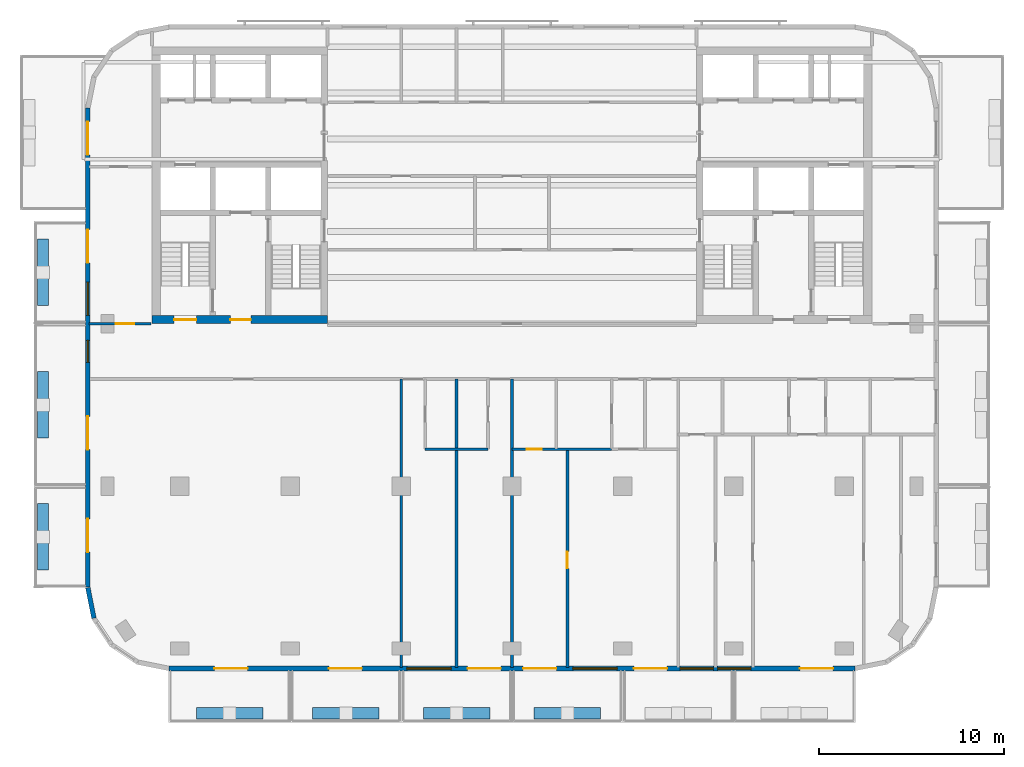
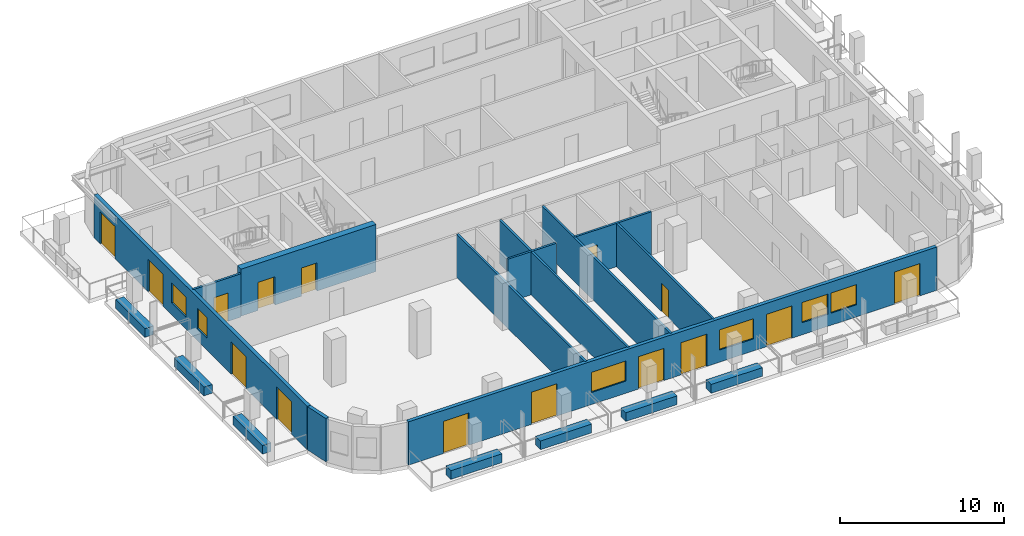
# One storey, part 2 of 10: 18 walls, 15 doors, 6 windows, 21 openings.
"""IFC4 building model written with IfcOpenShell, lengths in metres."""

from ifc_helpers import new_model, si_unit, direction, frame, frame_2d, origin, place, context, subcontext, project, spatial, rectangle, extrude, material, layer, layer_set, type_object, element, fill, save


model = new_model("IFC4")

# Units and contexts
model_context = context("Model", 3, precision=1e-05, world=origin(), true_north=direction((0.0, 1.0)))
body_context = subcontext(model_context, "Body", "Model", "MODEL_VIEW")
ifc_project = project(units=[si_unit("LENGTHUNIT", "METRE"), si_unit("AREAUNIT", "SQUARE_METRE"), si_unit("VOLUMEUNIT", "CUBIC_METRE"), si_unit("PLANEANGLEUNIT", "RADIAN"), si_unit("MASSUNIT", "GRAM", prefix="KILO")], contexts=[model_context])

# Site, building, storey
site_placement = place(None, origin())
site = spatial("IfcSite", under=ifc_project, at=site_placement, CompositionType="ELEMENT")
building_placement = place(site_placement, origin())
building = spatial("IfcBuilding", under=site, at=building_placement, Name="Torana Hotel and Residences", CompositionType="ELEMENT")
storey_placement = place(building_placement, frame((0.0, 0.0, 301.60009765625)))
storey = spatial("IfcBuildingStorey", under=building, at=storey_placement, Name="L80", CompositionType="ELEMENT", Elevation=301.60009765625)

# Wall, openings, doors
ifc_material_1 = material(Name="Concrete C60/75", Category="concrete")
ifc_layer_1 = layer(ifc_material_1, 0.449951171875)
ifc_layer_set_1 = layer_set([ifc_layer_1], Name="CORE WALL 450 C60/75")
wall_type_1 = type_object("IfcWallType", Name="CORE WALL 450 C60/75", PredefinedType="SHEAR", material=ifc_layer_set_1)
wall_1_placement = place(storey_placement, frame((-19.5, -14.77490234375, 0.0), z_axis=(0.0, 0.0, 1.0), x_axis=(1.0, 0.0, 0.0)))
wall_1 = element("IfcWall", 1, at=wall_1_placement, inside=storey, type_object=wall_type_1, Name="Core wall W front", PredefinedType="SHEAR", context=body_context, shape_type="SweptSolid", body=[
    extrude(rectangle(XDim=9.5, YDim=0.449951171875, at=frame_2d((4.75, 0.0))), origin(), (0.0, 0.0, 1.0), 3.5),
])
opening_1_placement = place(wall_1_placement, frame((1.199951171875, 0.0, 0.0)))
opening_1 = element("IfcOpeningElement", 2, at=opening_1_placement, cuts=wall_1, Name="Opening L80-04", PredefinedType="OPENING", context=body_context, shape_type="SweptSolid", body=[
    extrude(rectangle(XDim=1.199951171875, YDim=2.10009765625, at=frame_2d((0.60009765625, 1.050048828125))), frame((0.0, 0.23486328125, 0.0), z_axis=(0.0, -1.0, 0.0), x_axis=(1.0, 0.0, 0.0)), (0.0, 0.0, 1.0), 0.469970703125),
])
opening_2_placement = place(wall_1_placement, frame((4.25, 0.0, 0.0)))
opening_2 = element("IfcOpeningElement", 3, at=opening_2_placement, cuts=wall_1, Name="Opening L80-05", PredefinedType="OPENING", context=body_context, shape_type="SweptSolid", body=[
    extrude(rectangle(XDim=1.10009765625, YDim=2.10009765625, at=frame_2d((0.550048828125, 1.050048828125))), frame((0.0, 0.23486328125, 0.0), z_axis=(0.0, -1.0, 0.0), x_axis=(1.0, 0.0, 0.0)), (0.0, 0.0, 1.0), 0.469970703125),
])
ifc_material_2 = material(Name="Steel S235", Category="steel")
door_type_1 = type_object("IfcDoorType", Name="FIRE-FIGHTING LOBBY DOOR D8 1100x2100", OperationType="SINGLE_SWING_LEFT", PredefinedType="DOOR", material=ifc_material_2)
door_1_placement = place(opening_2_placement, origin())
door_1 = element("IfcDoor", 4, at=door_1_placement, inside=storey, type_object=door_type_1, Name="FF-lobby door L80", OperationType="SINGLE_SWING_RIGHT", OverallHeight=2.10009765625, OverallWidth=1.10009765625, PredefinedType="DOOR", context=body_context, shape_type="SweptSolid", body=[
    extrude(rectangle(XDim=1.10009765625, YDim=2.10009765625, at=frame_2d((0.550048828125, 1.050048828125))), frame((0.0, 0.02490234375, 0.0), z_axis=(0.0, -1.0, 0.0), x_axis=(1.0, 0.0, 0.0)), (0.0, 0.0, 1.0), 0.050048828125),
])
fill(opening_2, door_1)
ifc_material_3 = material(Name="Steel S235", Category="steel")
door_type_2 = type_object("IfcDoorType", Name="STAIR FIRE DOOR D3 1200x2100", OperationType="SINGLE_SWING_LEFT", PredefinedType="DOOR", material=ifc_material_3)
door_2_placement = place(opening_1_placement, origin())
door_2 = element("IfcDoor", 5, at=door_2_placement, inside=storey, type_object=door_type_2, Name="Stair-B door L80", OperationType="SINGLE_SWING_RIGHT", OverallHeight=2.10009765625, OverallWidth=1.199951171875, PredefinedType="DOOR", context=body_context, shape_type="SweptSolid", body=[
    extrude(rectangle(XDim=1.199951171875, YDim=2.10009765625, at=frame_2d((0.60009765625, 1.050048828125))), frame((0.0, 0.02490234375, 0.0), z_axis=(0.0, -1.0, 0.0), x_axis=(1.0, 0.0, 0.0)), (0.0, 0.0, 1.0), 0.050048828125),
])
fill(opening_1, door_2)

# Wall, openings, doors, windows
ifc_material_4 = material(Name="Black aluminium composite panel", Category="aluminium")
ifc_layer_2 = layer(ifc_material_4, 0.00390625, Name="Cladding", Category="cladding")
ifc_material_5 = material(Name="Ventilated air cavity")
ifc_layer_3 = layer(ifc_material_5, 0.0400390625, Name="Ventilated cavity", Category="cavity")
ifc_material_6 = material(Name="Mineral wool insulation")
ifc_layer_4 = layer(ifc_material_6, 0.090087890625, Name="Insulation", Category="insulation")
ifc_material_7 = material(Name="Steel S280GD", Category="steel")
ifc_layer_5 = layer(ifc_material_7, 0.092041015625, Name="Steel stud frame", Category="structure")
ifc_material_8 = material(Name="Fire rated plasterboard")
ifc_layer_6 = layer(ifc_material_8, 0.011962890625, Name="Inner board", Category="finish")
ifc_layer_7 = layer(ifc_material_8, 0.011962890625, Name="Second board", Category="finish")
ifc_layer_set_2 = layer_set([ifc_layer_2, ifc_layer_3, ifc_layer_4, ifc_layer_5, ifc_layer_6, ifc_layer_7], Name="EW1 EXTERNAL WALL BLACK METAL CLAD 250")
wall_type_2 = type_object("IfcWallType", Name="EW1 EXTERNAL WALL BLACK METAL CLAD 250", PredefinedType="SOLIDWALL", material=ifc_layer_set_2)
wall_2_placement = place(storey_placement, frame((-22.97509765625, -3.32470703125, 0.0), z_axis=(0.0, 0.0, 1.0), x_axis=(0.0, -1.0, 0.0)))
wall_2 = element("IfcWall", 6, at=wall_2_placement, inside=storey, type_object=wall_type_2, Name="External wall L80 e0.9", PredefinedType="SOLIDWALL", context=body_context, shape_type="SweptSolid", body=[
    extrude(rectangle(XDim=25.95068359375, YDim=0.25, at=frame_2d((12.975341796875, 0.0))), origin(), (0.0, 0.0, 1.0), 3.219970703125),
])
opening_3_placement = place(wall_2_placement, frame((0.725341796875, 0.0, 0.0)))
opening_3 = element("IfcOpeningElement", 7, at=opening_3_placement, cuts=wall_2, Name="Opening L80-E11", PredefinedType="OPENING", context=body_context, shape_type="SweptSolid", body=[
    extrude(rectangle(XDim=1.800048828125, YDim=2.39990234375, at=frame_2d((0.89990234375, 1.199951171875))), frame((0.0, 0.135009765625, 0.0), z_axis=(0.0, -1.0, 0.0), x_axis=(1.0, 0.0, 0.0)), (0.0, 0.0, 1.0), 0.27001953125),
])
opening_4_placement = place(wall_2_placement, frame((6.575439453125, 0.0, 0.0)))
opening_4 = element("IfcOpeningElement", 8, at=opening_4_placement, cuts=wall_2, Name="Opening L80-E12", PredefinedType="OPENING", context=body_context, shape_type="SweptSolid", body=[
    extrude(rectangle(XDim=1.800048828125, YDim=2.39990234375, at=frame_2d((0.89990234375, 1.199951171875))), frame((0.0, 0.135009765625, 0.0), z_axis=(0.0, -1.0, 0.0), x_axis=(1.0, 0.0, 0.0)), (0.0, 0.0, 1.0), 0.27001953125),
])
opening_5_placement = place(wall_2_placement, frame((9.42529296875, 0.0, 0.89990234375)))
opening_5 = element("IfcOpeningElement", 9, at=opening_5_placement, cuts=wall_2, Name="Opening W4", PredefinedType="OPENING", context=body_context, shape_type="SweptSolid", body=[
    extrude(rectangle(XDim=1.800048828125, YDim=1.5, at=frame_2d((0.89990234375, 0.75))), frame((0.0, 0.135009765625, 0.0), z_axis=(0.0, -1.0, 0.0), x_axis=(1.0, 0.0, 0.0)), (0.0, 0.0, 1.0), 0.27001953125),
])
opening_6_placement = place(wall_2_placement, frame((12.575439453125, 0.0, 0.89990234375)))
opening_6 = element("IfcOpeningElement", 10, at=opening_6_placement, cuts=wall_2, Name="Opening W5", PredefinedType="OPENING", context=body_context, shape_type="SweptSolid", body=[
    extrude(rectangle(XDim=1.199951171875, YDim=1.5, at=frame_2d((0.60009765625, 0.75))), frame((0.0, 0.135009765625, 0.0), z_axis=(0.0, -1.0, 0.0), x_axis=(1.0, 0.0, 0.0)), (0.0, 0.0, 1.0), 0.27001953125),
])
opening_7_placement = place(wall_2_placement, frame((16.700439453125, 0.0, 0.0)))
opening_7 = element("IfcOpeningElement", 11, at=opening_7_placement, cuts=wall_2, Name="Opening L80-E13", PredefinedType="OPENING", context=body_context, shape_type="SweptSolid", body=[
    extrude(rectangle(XDim=1.800048828125, YDim=2.39990234375, at=frame_2d((0.89990234375, 1.199951171875))), frame((0.0, 0.135009765625, 0.0), z_axis=(0.0, -1.0, 0.0), x_axis=(1.0, 0.0, 0.0)), (0.0, 0.0, 1.0), 0.27001953125),
])
opening_8_placement = place(wall_2_placement, frame((22.25048828125, 0.0, 0.0)))
opening_8 = element("IfcOpeningElement", 12, at=opening_8_placement, cuts=wall_2, Name="Opening L80-E14", PredefinedType="OPENING", context=body_context, shape_type="SweptSolid", body=[
    extrude(rectangle(XDim=1.800048828125, YDim=2.39990234375, at=frame_2d((0.89990234375, 1.199951171875))), frame((0.0, 0.135009765625, 0.0), z_axis=(0.0, -1.0, 0.0), x_axis=(1.0, 0.0, 0.0)), (0.0, 0.0, 1.0), 0.27001953125),
])
ifc_material_9 = material(Name="Dark glass in black aluminium frame", Category="aluminium")
door_type_3 = type_object("IfcDoorType", Name="DB1 BALCONY DOOR 1800x2400", OperationType="DOUBLE_DOOR_SINGLE_SWING", PredefinedType="DOOR", material=ifc_material_9)
door_3_placement = place(opening_3_placement, origin())
door_3 = element("IfcDoor", 13, at=door_3_placement, inside=storey, type_object=door_type_3, Name="Balcony door L80", OperationType="DOUBLE_DOOR_SINGLE_SWING", OverallHeight=2.39990234375, OverallWidth=1.800048828125, PredefinedType="DOOR", context=body_context, shape_type="SweptSolid", body=[
    extrude(rectangle(XDim=1.800048828125, YDim=2.39990234375, at=frame_2d((0.89990234375, 1.199951171875))), frame((0.0, 0.02490234375, 0.0), z_axis=(0.0, -1.0, 0.0), x_axis=(1.0, 0.0, 0.0)), (0.0, 0.0, 1.0), 0.050048828125),
])
fill(opening_3, door_3)
door_4_placement = place(opening_4_placement, origin())
door_4 = element("IfcDoor", 14, at=door_4_placement, inside=storey, type_object=door_type_3, Name="Balcony door L80", OperationType="DOUBLE_DOOR_SINGLE_SWING", OverallHeight=2.39990234375, OverallWidth=1.800048828125, PredefinedType="DOOR", context=body_context, shape_type="SweptSolid", body=[
    extrude(rectangle(XDim=1.800048828125, YDim=2.39990234375, at=frame_2d((0.89990234375, 1.199951171875))), frame((0.0, 0.02490234375, 0.0), z_axis=(0.0, -1.0, 0.0), x_axis=(1.0, 0.0, 0.0)), (0.0, 0.0, 1.0), 0.050048828125),
])
fill(opening_4, door_4)
door_5_placement = place(opening_7_placement, origin())
door_5 = element("IfcDoor", 15, at=door_5_placement, inside=storey, type_object=door_type_3, Name="Balcony door L80", OperationType="DOUBLE_DOOR_SINGLE_SWING", OverallHeight=2.39990234375, OverallWidth=1.800048828125, PredefinedType="DOOR", context=body_context, shape_type="SweptSolid", body=[
    extrude(rectangle(XDim=1.800048828125, YDim=2.39990234375, at=frame_2d((0.89990234375, 1.199951171875))), frame((0.0, 0.02490234375, 0.0), z_axis=(0.0, -1.0, 0.0), x_axis=(1.0, 0.0, 0.0)), (0.0, 0.0, 1.0), 0.050048828125),
])
fill(opening_7, door_5)
door_6_placement = place(opening_8_placement, origin())
door_6 = element("IfcDoor", 16, at=door_6_placement, inside=storey, type_object=door_type_3, Name="Balcony door L80", OperationType="DOUBLE_DOOR_SINGLE_SWING", OverallHeight=2.39990234375, OverallWidth=1.800048828125, PredefinedType="DOOR", context=body_context, shape_type="SweptSolid", body=[
    extrude(rectangle(XDim=1.800048828125, YDim=2.39990234375, at=frame_2d((0.89990234375, 1.199951171875))), frame((0.0, 0.02490234375, 0.0), z_axis=(0.0, -1.0, 0.0), x_axis=(1.0, 0.0, 0.0)), (0.0, 0.0, 1.0), 0.050048828125),
])
fill(opening_8, door_6)
ifc_material_10 = material(Name="Dark glass in black aluminium frame", Category="aluminium")
window_type_1 = type_object("IfcWindowType", Name="W4 RESIDENCE WINDOW NARROW 1800x1500", PartitioningType="SINGLE_PANEL", PredefinedType="WINDOW", material=ifc_material_10)
window_1_placement = place(opening_5_placement, origin())
window_1 = element("IfcWindow", 17, at=window_1_placement, inside=storey, type_object=window_type_1, Name="Window L80", OverallHeight=1.5, OverallWidth=1.800048828125, PartitioningType="SINGLE_PANEL", PredefinedType="WINDOW", context=body_context, shape_type="SweptSolid", body=[
    extrude(rectangle(XDim=1.800048828125, YDim=1.5, at=frame_2d((0.89990234375, 0.75))), frame((0.0, 0.030029296875, 0.0), z_axis=(0.0, -1.0, 0.0), x_axis=(1.0, 0.0, 0.0)), (0.0, 0.0, 1.0), 0.06005859375),
])
fill(opening_5, window_1)
ifc_material_11 = material(Name="Dark glass in black aluminium frame", Category="aluminium")
window_type_2 = type_object("IfcWindowType", Name="W5 CORNER FACET WINDOW 1200x1500", PartitioningType="SINGLE_PANEL", PredefinedType="WINDOW", material=ifc_material_11)
window_2_placement = place(opening_6_placement, origin())
window_2 = element("IfcWindow", 18, at=window_2_placement, inside=storey, type_object=window_type_2, Name="Window L80", OverallHeight=1.5, OverallWidth=1.199951171875, PartitioningType="SINGLE_PANEL", PredefinedType="WINDOW", context=body_context, shape_type="SweptSolid", body=[
    extrude(rectangle(XDim=1.199951171875, YDim=1.5, at=frame_2d((0.60009765625, 0.75))), frame((0.0, 0.030029296875, 0.0), z_axis=(0.0, -1.0, 0.0), x_axis=(1.0, 0.0, 0.0)), (0.0, 0.0, 1.0), 0.06005859375),
])
fill(opening_6, window_2)

# Wall
wall_3_placement = place(storey_placement, frame((-22.97265625, -29.2998046875, 0.0), z_axis=(0.0, 0.0, 1.0), x_axis=(0.19513878023, -0.980775640221, 0.0)))
element("IfcWall", 19, at=wall_3_placement, inside=storey, type_object=wall_type_2, Name="External wall L80 e0.10", PredefinedType="SOLIDWALL", context=body_context, shape_type="SweptSolid", body=[
    extrude(rectangle(XDim=1.681396484375, YDim=0.25, at=frame_2d((0.8408203125, 0.0))), origin(), (0.0, 0.0, 1.0), 3.219970703125),
])

# Wall, openings, doors, windows
wall_4_placement = place(storey_placement, frame((-18.575439453125, -33.675048828125, 0.0), z_axis=(0.0, 0.0, 1.0), x_axis=(1.0, 0.0, 0.0)))
wall_4 = element("IfcWall", 20, at=wall_4_placement, inside=storey, type_object=wall_type_2, Name="External wall L80 e0.14", PredefinedType="SOLIDWALL", context=body_context, shape_type="SweptSolid", body=[
    extrude(rectangle(XDim=37.15087890625, YDim=0.25, at=frame_2d((18.575439453125, 0.0))), origin(), (0.0, 0.0, 1.0), 3.219970703125),
])
opening_9_placement = place(wall_4_placement, frame((2.450439453125, 0.0, 0.0)))
opening_9 = element("IfcOpeningElement", 21, at=opening_9_placement, cuts=wall_4, Name="Opening L80-E01", PredefinedType="OPENING", context=body_context, shape_type="SweptSolid", body=[
    extrude(rectangle(XDim=1.800048828125, YDim=2.39990234375, at=frame_2d((0.89990234375, 1.199951171875))), frame((0.0, 0.135009765625, 0.0), z_axis=(0.0, -1.0, 0.0), x_axis=(1.0, 0.0, 0.0)), (0.0, 0.0, 1.0), 0.27001953125),
])
opening_10_placement = place(wall_4_placement, frame((8.650390625, 0.0, 0.0)))
opening_10 = element("IfcOpeningElement", 22, at=opening_10_placement, cuts=wall_4, Name="Opening L80-E02", PredefinedType="OPENING", context=body_context, shape_type="SweptSolid", body=[
    extrude(rectangle(XDim=1.800048828125, YDim=2.39990234375, at=frame_2d((0.89990234375, 1.199951171875))), frame((0.0, 0.135009765625, 0.0), z_axis=(0.0, -1.0, 0.0), x_axis=(1.0, 0.0, 0.0)), (0.0, 0.0, 1.0), 0.27001953125),
])
opening_11_placement = place(wall_4_placement, frame((12.87548828125, 0.0, 0.89990234375)))
opening_11 = element("IfcOpeningElement", 23, at=opening_11_placement, cuts=wall_4, Name="Opening W3", PredefinedType="OPENING", context=body_context, shape_type="SweptSolid", body=[
    extrude(rectangle(XDim=2.39990234375, YDim=1.5, at=frame_2d((1.199951171875, 0.75))), frame((0.0, 0.135009765625, 0.0), z_axis=(0.0, -1.0, 0.0), x_axis=(1.0, 0.0, 0.0)), (0.0, 0.0, 1.0), 0.27001953125),
])
opening_12_placement = place(wall_4_placement, frame((16.17529296875, 0.0, 0.0)))
opening_12 = element("IfcOpeningElement", 24, at=opening_12_placement, cuts=wall_4, Name="Opening L80-E03", PredefinedType="OPENING", context=body_context, shape_type="SweptSolid", body=[
    extrude(rectangle(XDim=1.800048828125, YDim=2.39990234375, at=frame_2d((0.89990234375, 1.199951171875))), frame((0.0, 0.135009765625, 0.0), z_axis=(0.0, -1.0, 0.0), x_axis=(1.0, 0.0, 0.0)), (0.0, 0.0, 1.0), 0.27001953125),
])
opening_13_placement = place(wall_4_placement, frame((19.17529296875, 0.0, 0.0)))
opening_13 = element("IfcOpeningElement", 25, at=opening_13_placement, cuts=wall_4, Name="Opening L80-E04", PredefinedType="OPENING", context=body_context, shape_type="SweptSolid", body=[
    extrude(rectangle(XDim=1.800048828125, YDim=2.39990234375, at=frame_2d((0.89990234375, 1.199951171875))), frame((0.0, 0.135009765625, 0.0), z_axis=(0.0, -1.0, 0.0), x_axis=(1.0, 0.0, 0.0)), (0.0, 0.0, 1.0), 0.27001953125),
])
opening_14_placement = place(wall_4_placement, frame((21.87548828125, 0.0, 0.89990234375)))
opening_14 = element("IfcOpeningElement", 26, at=opening_14_placement, cuts=wall_4, Name="Opening W3", PredefinedType="OPENING", context=body_context, shape_type="SweptSolid", body=[
    extrude(rectangle(XDim=2.39990234375, YDim=1.5, at=frame_2d((1.199951171875, 0.75))), frame((0.0, 0.135009765625, 0.0), z_axis=(0.0, -1.0, 0.0), x_axis=(1.0, 0.0, 0.0)), (0.0, 0.0, 1.0), 0.27001953125),
])
opening_15_placement = place(wall_4_placement, frame((25.17529296875, 0.0, 0.0)))
opening_15 = element("IfcOpeningElement", 27, at=opening_15_placement, cuts=wall_4, Name="Opening L80-E05", PredefinedType="OPENING", context=body_context, shape_type="SweptSolid", body=[
    extrude(rectangle(XDim=1.800048828125, YDim=2.39990234375, at=frame_2d((0.89990234375, 1.199951171875))), frame((0.0, 0.135009765625, 0.0), z_axis=(0.0, -1.0, 0.0), x_axis=(1.0, 0.0, 0.0)), (0.0, 0.0, 1.0), 0.27001953125),
])
opening_16_placement = place(wall_4_placement, frame((27.6875, 0.0, 0.89990234375)))
opening_16 = element("IfcOpeningElement", 28, at=opening_16_placement, cuts=wall_4, Name="Opening W4", PredefinedType="OPENING", context=body_context, shape_type="SweptSolid", body=[
    extrude(rectangle(XDim=1.800048828125, YDim=1.5, at=frame_2d((0.89990234375, 0.75))), frame((0.0, 0.135009765625, 0.0), z_axis=(0.0, -1.0, 0.0), x_axis=(1.0, 0.0, 0.0)), (0.0, 0.0, 1.0), 0.27001953125),
])
opening_17_placement = place(wall_4_placement, frame((29.71337890625, 0.0, 0.89990234375)))
opening_17 = element("IfcOpeningElement", 29, at=opening_17_placement, cuts=wall_4, Name="Opening W4", PredefinedType="OPENING", context=body_context, shape_type="SweptSolid", body=[
    extrude(rectangle(XDim=1.800048828125, YDim=1.5, at=frame_2d((0.89990234375, 0.75))), frame((0.0, 0.135009765625, 0.0), z_axis=(0.0, -1.0, 0.0), x_axis=(1.0, 0.0, 0.0)), (0.0, 0.0, 1.0), 0.27001953125),
])
opening_18_placement = place(wall_4_placement, frame((34.17529296875, 0.0, 0.0)))
opening_18 = element("IfcOpeningElement", 30, at=opening_18_placement, cuts=wall_4, Name="Opening L80-E06", PredefinedType="OPENING", context=body_context, shape_type="SweptSolid", body=[
    extrude(rectangle(XDim=1.800048828125, YDim=2.39990234375, at=frame_2d((0.89990234375, 1.199951171875))), frame((0.0, 0.135009765625, 0.0), z_axis=(0.0, -1.0, 0.0), x_axis=(1.0, 0.0, 0.0)), (0.0, 0.0, 1.0), 0.27001953125),
])
door_7_placement = place(opening_9_placement, origin())
door_7 = element("IfcDoor", 31, at=door_7_placement, inside=storey, type_object=door_type_3, Name="Balcony door L80", OperationType="DOUBLE_DOOR_SINGLE_SWING", OverallHeight=2.39990234375, OverallWidth=1.800048828125, PredefinedType="DOOR", context=body_context, shape_type="SweptSolid", body=[
    extrude(rectangle(XDim=1.800048828125, YDim=2.39990234375, at=frame_2d((0.89990234375, 1.199951171875))), frame((0.0, 0.02490234375, 0.0), z_axis=(0.0, -1.0, 0.0), x_axis=(1.0, 0.0, 0.0)), (0.0, 0.0, 1.0), 0.050048828125),
])
fill(opening_9, door_7)
door_8_placement = place(opening_10_placement, origin())
door_8 = element("IfcDoor", 32, at=door_8_placement, inside=storey, type_object=door_type_3, Name="Balcony door L80", OperationType="DOUBLE_DOOR_SINGLE_SWING", OverallHeight=2.39990234375, OverallWidth=1.800048828125, PredefinedType="DOOR", context=body_context, shape_type="SweptSolid", body=[
    extrude(rectangle(XDim=1.800048828125, YDim=2.39990234375, at=frame_2d((0.89990234375, 1.199951171875))), frame((0.0, 0.02490234375, 0.0), z_axis=(0.0, -1.0, 0.0), x_axis=(1.0, 0.0, 0.0)), (0.0, 0.0, 1.0), 0.050048828125),
])
fill(opening_10, door_8)
door_9_placement = place(opening_12_placement, origin())
door_9 = element("IfcDoor", 33, at=door_9_placement, inside=storey, type_object=door_type_3, Name="Balcony door L80", OperationType="DOUBLE_DOOR_SINGLE_SWING", OverallHeight=2.39990234375, OverallWidth=1.800048828125, PredefinedType="DOOR", context=body_context, shape_type="SweptSolid", body=[
    extrude(rectangle(XDim=1.800048828125, YDim=2.39990234375, at=frame_2d((0.89990234375, 1.199951171875))), frame((0.0, 0.02490234375, 0.0), z_axis=(0.0, -1.0, 0.0), x_axis=(1.0, 0.0, 0.0)), (0.0, 0.0, 1.0), 0.050048828125),
])
fill(opening_12, door_9)
door_10_placement = place(opening_13_placement, origin())
door_10 = element("IfcDoor", 34, at=door_10_placement, inside=storey, type_object=door_type_3, Name="Balcony door L80", OperationType="DOUBLE_DOOR_SINGLE_SWING", OverallHeight=2.39990234375, OverallWidth=1.800048828125, PredefinedType="DOOR", context=body_context, shape_type="SweptSolid", body=[
    extrude(rectangle(XDim=1.800048828125, YDim=2.39990234375, at=frame_2d((0.89990234375, 1.199951171875))), frame((0.0, 0.02490234375, 0.0), z_axis=(0.0, -1.0, 0.0), x_axis=(1.0, 0.0, 0.0)), (0.0, 0.0, 1.0), 0.050048828125),
])
fill(opening_13, door_10)
door_11_placement = place(opening_15_placement, origin())
door_11 = element("IfcDoor", 35, at=door_11_placement, inside=storey, type_object=door_type_3, Name="Balcony door L80", OperationType="DOUBLE_DOOR_SINGLE_SWING", OverallHeight=2.39990234375, OverallWidth=1.800048828125, PredefinedType="DOOR", context=body_context, shape_type="SweptSolid", body=[
    extrude(rectangle(XDim=1.800048828125, YDim=2.39990234375, at=frame_2d((0.89990234375, 1.199951171875))), frame((0.0, 0.02490234375, 0.0), z_axis=(0.0, -1.0, 0.0), x_axis=(1.0, 0.0, 0.0)), (0.0, 0.0, 1.0), 0.050048828125),
])
fill(opening_15, door_11)
door_12_placement = place(opening_18_placement, origin())
door_12 = element("IfcDoor", 36, at=door_12_placement, inside=storey, type_object=door_type_3, Name="Balcony door L80", OperationType="DOUBLE_DOOR_SINGLE_SWING", OverallHeight=2.39990234375, OverallWidth=1.800048828125, PredefinedType="DOOR", context=body_context, shape_type="SweptSolid", body=[
    extrude(rectangle(XDim=1.800048828125, YDim=2.39990234375, at=frame_2d((0.89990234375, 1.199951171875))), frame((0.0, 0.02490234375, 0.0), z_axis=(0.0, -1.0, 0.0), x_axis=(1.0, 0.0, 0.0)), (0.0, 0.0, 1.0), 0.050048828125),
])
fill(opening_18, door_12)
ifc_material_12 = material(Name="Dark glass in black aluminium frame", Category="aluminium")
window_type_3 = type_object("IfcWindowType", Name="W3 RESIDENCE WINDOW 2400x1500", PartitioningType="SINGLE_PANEL", PredefinedType="WINDOW", material=ifc_material_12)
window_3_placement = place(opening_11_placement, origin())
window_3 = element("IfcWindow", 37, at=window_3_placement, inside=storey, type_object=window_type_3, Name="Window L80", OverallHeight=1.5, OverallWidth=2.39990234375, PartitioningType="SINGLE_PANEL", PredefinedType="WINDOW", context=body_context, shape_type="SweptSolid", body=[
    extrude(rectangle(XDim=2.39990234375, YDim=1.5, at=frame_2d((1.199951171875, 0.75))), frame((0.0, 0.030029296875, 0.0), z_axis=(0.0, -1.0, 0.0), x_axis=(1.0, 0.0, 0.0)), (0.0, 0.0, 1.0), 0.06005859375),
])
fill(opening_11, window_3)
window_4_placement = place(opening_14_placement, origin())
window_4 = element("IfcWindow", 38, at=window_4_placement, inside=storey, type_object=window_type_3, Name="Window L80", OverallHeight=1.5, OverallWidth=2.39990234375, PartitioningType="SINGLE_PANEL", PredefinedType="WINDOW", context=body_context, shape_type="SweptSolid", body=[
    extrude(rectangle(XDim=2.39990234375, YDim=1.5, at=frame_2d((1.199951171875, 0.75))), frame((0.0, 0.030029296875, 0.0), z_axis=(0.0, -1.0, 0.0), x_axis=(1.0, 0.0, 0.0)), (0.0, 0.0, 1.0), 0.06005859375),
])
fill(opening_14, window_4)
window_5_placement = place(opening_16_placement, origin())
window_5 = element("IfcWindow", 39, at=window_5_placement, inside=storey, type_object=window_type_1, Name="Window L80", OverallHeight=1.5, OverallWidth=1.800048828125, PartitioningType="SINGLE_PANEL", PredefinedType="WINDOW", context=body_context, shape_type="SweptSolid", body=[
    extrude(rectangle(XDim=1.800048828125, YDim=1.5, at=frame_2d((0.89990234375, 0.75))), frame((0.0, 0.030029296875, 0.0), z_axis=(0.0, -1.0, 0.0), x_axis=(1.0, 0.0, 0.0)), (0.0, 0.0, 1.0), 0.06005859375),
])
fill(opening_16, window_5)
window_6_placement = place(opening_17_placement, origin())
window_6 = element("IfcWindow", 40, at=window_6_placement, inside=storey, type_object=window_type_1, Name="Window L80", OverallHeight=1.5, OverallWidth=1.800048828125, PartitioningType="SINGLE_PANEL", PredefinedType="WINDOW", context=body_context, shape_type="SweptSolid", body=[
    extrude(rectangle(XDim=1.800048828125, YDim=1.5, at=frame_2d((0.89990234375, 0.75))), frame((0.0, 0.030029296875, 0.0), z_axis=(0.0, -1.0, 0.0), x_axis=(1.0, 0.0, 0.0)), (0.0, 0.0, 1.0), 0.06005859375),
])
fill(opening_17, window_6)

# Wall, opening, door
ifc_material_13 = material(Name="Gypsum plaster")
ifc_layer_8 = layer(ifc_material_13, 0.014892578125, Name="Plaster", Category="finish")
ifc_material_14 = material(Name="Concrete blockwork", Category="masonry")
ifc_layer_9 = layer(ifc_material_14, 0.1201171875, Name="Blockwork", Category="structure")
ifc_layer_10 = layer(ifc_material_13, 0.014892578125, Name="Plaster", Category="finish")
ifc_layer_set_3 = layer_set([ifc_layer_8, ifc_layer_9, ifc_layer_10], Name="FIRE PARTITION 150 BLOCKWORK")
wall_type_3 = type_object("IfcWallType", Name="FIRE PARTITION 150 BLOCKWORK", PredefinedType="PARTITIONING", material=ifc_layer_set_3)
wall_5_placement = place(storey_placement, frame((-22.919921875, -15.0, 0.0), z_axis=(0.0, 0.0, 1.0), x_axis=(1.0, 0.0, 0.0)))
wall_5 = element("IfcWall", 41, at=wall_5_placement, inside=storey, type_object=wall_type_3, Name="Partition L80", PredefinedType="PARTITIONING", context=body_context, shape_type="SweptSolid", body=[
    extrude(rectangle(XDim=3.369873046875, YDim=0.14990234375, at=frame_2d((1.68505859375, 0.0))), origin(), (0.0, 0.0, 1.0), 3.219970703125),
])
opening_19_placement = place(wall_5_placement, frame((1.469970703125, 0.0, 0.0)))
opening_19 = element("IfcOpeningElement", 42, at=opening_19_placement, cuts=wall_5, Name="Opening L80-27", PredefinedType="OPENING", context=body_context, shape_type="SweptSolid", body=[
    extrude(rectangle(XDim=1.0, YDim=2.10009765625, at=frame_2d((0.5, 1.050048828125))), frame((0.0, 0.0849609375, 0.0), z_axis=(0.0, -1.0, 0.0), x_axis=(1.0, 0.0, 0.0)), (0.0, 0.0, 1.0), 0.169921875),
])
ifc_material_15 = material(Name="Steel S235", Category="steel")
door_type_4 = type_object("IfcDoorType", Name="CORE ROOM FIRE DOOR D14 1000x2100", OperationType="SINGLE_SWING_LEFT", PredefinedType="DOOR", material=ifc_material_15)
door_13_placement = place(opening_19_placement, origin())
door_13 = element("IfcDoor", 43, at=door_13_placement, inside=storey, type_object=door_type_4, Name="Door L80", OperationType="SINGLE_SWING_RIGHT", OverallHeight=2.10009765625, OverallWidth=1.0, PredefinedType="DOOR", context=body_context, shape_type="SweptSolid", body=[
    extrude(rectangle(XDim=1.0, YDim=2.10009765625, at=frame_2d((0.5, 1.050048828125))), frame((0.0, 0.02490234375, 0.0), z_axis=(0.0, -1.0, 0.0), x_axis=(1.0, 0.0, 0.0)), (0.0, 0.0, 1.0), 0.050048828125),
])
fill(opening_19, door_13)

ifc_material_16 = material(Name="Gypsum plasterboard")
ifc_layer_11 = layer(ifc_material_16, 0.012451171875, Name="Plasterboard", Category="finish")
ifc_layer_12 = layer(ifc_material_16, 0.012451171875, Name="Plasterboard", Category="finish")
ifc_layer_13 = layer(ifc_material_7, 0.10009765625, Name="Steel studs with mineral wool", Category="insulation")
ifc_layer_14 = layer(ifc_material_16, 0.012451171875, Name="Plasterboard", Category="finish")
ifc_layer_15 = layer(ifc_material_16, 0.012451171875, Name="Plasterboard", Category="finish")
ifc_layer_set_4 = layer_set([ifc_layer_11, ifc_layer_12, ifc_layer_13, ifc_layer_14, ifc_layer_15], Name="PARTITION 150 PLASTERBOARD")
wall_type_4 = type_object("IfcWallType", Name="PARTITION 150 PLASTERBOARD", PredefinedType="PARTITIONING", material=ifc_layer_set_4)
wall_6_placement = place(storey_placement, frame((3.0, -33.6201171875, 0.0), z_axis=(0.0, 0.0, 1.0), x_axis=(0.0, 1.0, 0.0)))
wall_6 = element("IfcWall", 44, at=wall_6_placement, inside=storey, type_object=wall_type_4, Name="Partition L80", PredefinedType="PARTITIONING", context=body_context, shape_type="SweptSolid", body=[
    extrude(rectangle(XDim=11.820068359375, YDim=0.14990234375, at=frame_2d((5.91015625, 0.0))), origin(), (0.0, 0.0, 1.0), 3.219970703125),
])
opening_20_placement = place(wall_6_placement, frame((5.3701171875, 0.0, 0.0)))
opening_20 = element("IfcOpeningElement", 45, at=opening_20_placement, cuts=wall_6, Name="Opening L80-42", PredefinedType="OPENING", context=body_context, shape_type="SweptSolid", body=[
    extrude(rectangle(XDim=0.89990234375, YDim=2.10009765625, at=frame_2d((0.449951171875, 1.050048828125))), frame((0.0, 0.0849609375, 0.0), z_axis=(0.0, -1.0, 0.0), x_axis=(1.0, 0.0, 0.0)), (0.0, 0.0, 1.0), 0.169921875),
])
ifc_material_17 = material(Name="Timber door, oiled ash", Category="wood")
door_type_5 = type_object("IfcDoorType", Name="ROOM DOOR D7 900x2100", OperationType="SINGLE_SWING_LEFT", PredefinedType="DOOR", material=ifc_material_17)
door_14_placement = place(opening_20_placement, origin())
door_14 = element("IfcDoor", 46, at=door_14_placement, inside=storey, type_object=door_type_5, Name="Door L80", OperationType="SINGLE_SWING_RIGHT", OverallHeight=2.10009765625, OverallWidth=0.89990234375, PredefinedType="DOOR", context=body_context, shape_type="SweptSolid", body=[
    extrude(rectangle(XDim=0.89990234375, YDim=2.10009765625, at=frame_2d((0.449951171875, 1.050048828125))), frame((0.0, 0.02490234375, 0.0), z_axis=(0.0, -1.0, 0.0), x_axis=(1.0, 0.0, 0.0)), (0.0, 0.0, 1.0), 0.050048828125),
])
fill(opening_20, door_14)

# Walls
for number, where, z_axis, x_axis, name in (
    (47, (0.0, -33.6201171875, 0.0), (0.0, 0.0, 1.0), (0.0, 1.0, 0.0), "Partition L80"),
    (48, (-3.0, -33.6201171875, 0.0), (0.0, 0.0, 1.0), (0.0, 1.0, 0.0), "Partition L80"),
    (49, (-6.0, -33.6201171875, 0.0), (0.0, 0.0, 1.0), (0.0, 1.0, 0.0), "Partition L80"),
):
    element("IfcWall", number, at=place(storey_placement, frame(where, z_axis=z_axis, x_axis=x_axis)), inside=storey, type_object=wall_type_4, Name=name, PredefinedType="PARTITIONING", context=body_context, shape_type="SweptSolid", body=[
        extrude(rectangle(XDim=15.6201171875, YDim=0.14990234375, at=frame_2d((7.81005859375, 0.0))), origin(), (0.0, 0.0, 1.0), 3.219970703125),
    ])
wall_7_placement = place(storey_placement, frame((-4.699951171875, -21.800048828125, 0.0), z_axis=(0.0, 0.0, 1.0), x_axis=(1.0, 0.0, 0.0)))
element("IfcWall", 50, at=wall_7_placement, inside=storey, type_object=wall_type_4, Name="Partition L80", PredefinedType="PARTITIONING", context=body_context, shape_type="SweptSolid", body=[
    extrude(rectangle(XDim=3.39990234375, YDim=0.14990234375, at=frame_2d((1.699951171875, 0.0))), origin(), (0.0, 0.0, 1.0), 3.219970703125),
])

# Wall, opening, door
wall_8_placement = place(storey_placement, frame((0.0, -21.800048828125, 0.0), z_axis=(0.0, 0.0, 1.0), x_axis=(1.0, 0.0, 0.0)))
wall_8 = element("IfcWall", 51, at=wall_8_placement, inside=storey, type_object=wall_type_4, Name="Partition L80", PredefinedType="PARTITIONING", context=body_context, shape_type="SweptSolid", body=[
    extrude(rectangle(XDim=5.39990234375, YDim=0.14990234375, at=frame_2d((2.699951171875, 0.0))), origin(), (0.0, 0.0, 1.0), 3.219970703125),
])
opening_21_placement = place(wall_8_placement, frame((0.800048828125, 0.0, 0.0)))
opening_21 = element("IfcOpeningElement", 52, at=opening_21_placement, cuts=wall_8, Name="Opening L80-39", PredefinedType="OPENING", context=body_context, shape_type="SweptSolid", body=[
    extrude(rectangle(XDim=0.800048828125, YDim=2.10009765625, at=frame_2d((0.39990234375, 1.050048828125))), frame((0.0, 0.0849609375, 0.0), z_axis=(0.0, -1.0, 0.0), x_axis=(1.0, 0.0, 0.0)), (0.0, 0.0, 1.0), 0.169921875),
])
ifc_material_18 = material(Name="Timber door, painted", Category="wood")
door_type_6 = type_object("IfcDoorType", Name="BATH DOOR D13 800x2100", OperationType="SINGLE_SWING_LEFT", PredefinedType="DOOR", material=ifc_material_18)
door_15_placement = place(opening_21_placement, origin())
door_15 = element("IfcDoor", 53, at=door_15_placement, inside=storey, type_object=door_type_6, Name="Door L80", OperationType="SINGLE_SWING_RIGHT", OverallHeight=2.10009765625, OverallWidth=0.800048828125, PredefinedType="DOOR", context=body_context, shape_type="SweptSolid", body=[
    extrude(rectangle(XDim=0.800048828125, YDim=2.10009765625, at=frame_2d((0.39990234375, 1.050048828125))), frame((0.0, 0.02490234375, 0.0), z_axis=(0.0, -1.0, 0.0), x_axis=(1.0, 0.0, 0.0)), (0.0, 0.0, 1.0), 0.050048828125),
])
fill(opening_21, door_15)

# Walls
ifc_material_19 = material(Name="Concrete C40/50 precast", Category="concrete")
ifc_layer_16 = layer(ifc_material_19, 0.10009765625, Name="Planter shell", Category="structure")
ifc_material_20 = material(Name="Root resistant membrane")
ifc_layer_17 = layer(ifc_material_20, 0.00390625, Name="Waterproofing membrane", Category="membrane")
ifc_material_21 = material(Name="Drainage board with filter fleece")
ifc_layer_18 = layer(ifc_material_21, 0.02001953125, Name="Drainage board", Category="drainage")
ifc_material_22 = material(Name="Growing medium")
ifc_layer_19 = layer(ifc_material_22, 0.47607421875, Name="Planting substrate", Category="soil")
ifc_layer_set_5 = layer_set([ifc_layer_16, ifc_layer_17, ifc_layer_18, ifc_layer_19], Name="PL1 BALCONY PLANTER 600")
wall_type_5 = type_object("IfcWallType", Name="PL1 BALCONY PLANTER 600", PredefinedType="USERDEFINED", material=ifc_layer_set_5)
for number, where, z_axis, x_axis, name in (
    (54, (-13.5, -36.10009765625, 0.0), (0.0, 0.0, 1.0), (-1.0, 0.0, 0.0), "Planter 01"),
    (55, (-7.199951171875, -36.10009765625, 0.0), (0.0, 0.0, 1.0), (-1.0, 0.0, 0.0), "Planter 02"),
    (56, (-1.199951171875, -36.10009765625, 0.0), (0.0, 0.0, 1.0), (-1.0, 0.0, 0.0), "Planter 03"),
    (57, (4.800048828125, -36.10009765625, 0.0), (0.0, 0.0, 1.0), (-1.0, 0.0, 0.0), "Planter 04"),
    (58, (-25.39990234375, -28.35009765625, 0.0), (0.0, 0.0, 1.0), (0.0, 1.0, 0.0), "Planter 07"),
):
    element("IfcWall", number, at=place(storey_placement, frame(where, z_axis=z_axis, x_axis=x_axis)), inside=storey, type_object=wall_type_5, Name=name, ObjectType="PLANTER", PredefinedType="USERDEFINED", context=body_context, shape_type="SweptSolid", body=[
        extrude(rectangle(XDim=3.60009765625, YDim=0.60009765625, at=frame_2d((1.800048828125, 0.0))), origin(), (0.0, 0.0, 1.0), 0.64990234375),
    ])
for number, where, z_axis, x_axis, name in (
    (59, (-25.39990234375, -21.199951171875, 0.0), (0.0, 0.0, 1.0), (0.0, 1.0, 0.0), "Planter 08"),
    (60, (-25.39990234375, -14.02490234375, 0.0), (0.0, 0.0, 1.0), (0.0, 1.0, 0.0), "Planter 09"),
):
    element("IfcWall", number, at=place(storey_placement, frame(where, z_axis=z_axis, x_axis=x_axis)), inside=storey, type_object=wall_type_5, Name=name, ObjectType="PLANTER", PredefinedType="USERDEFINED", context=body_context, shape_type="SweptSolid", body=[
        extrude(rectangle(XDim=3.599853515625, YDim=0.60009765625, at=frame_2d((1.7998046875, 0.0))), origin(), (0.0, 0.0, 1.0), 0.64990234375),
    ])

save(model, "model.ifc")
